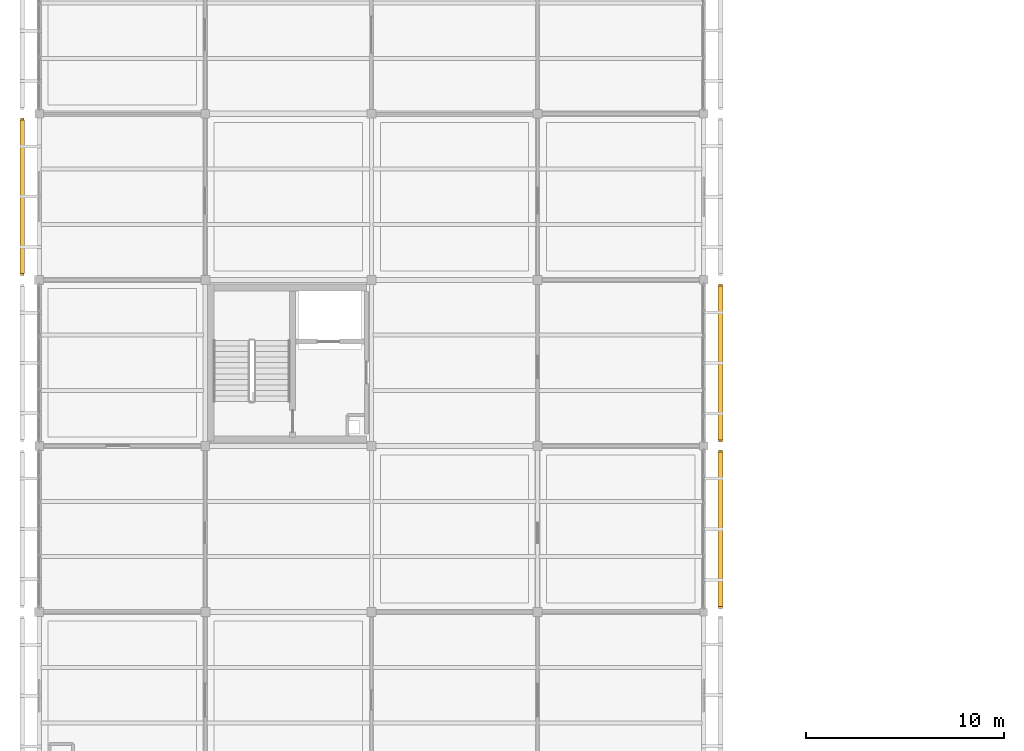
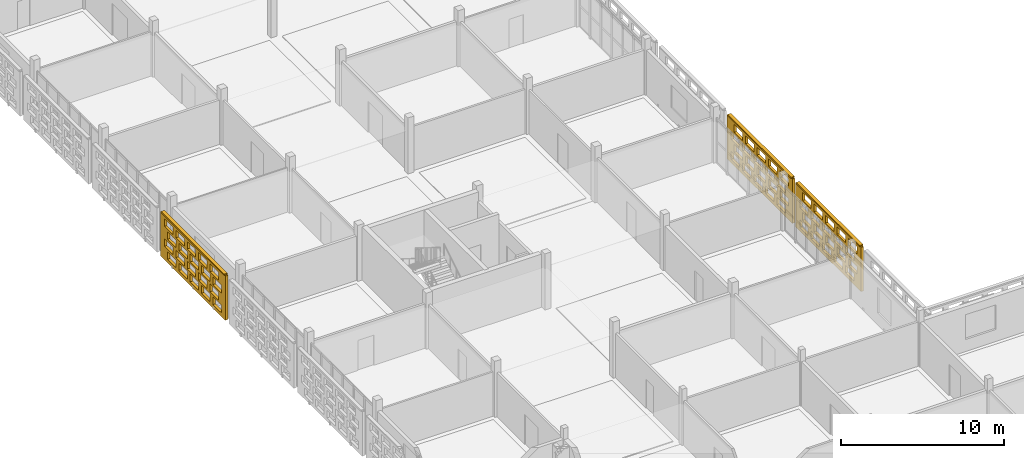
# One storey, part 106 of 140: 3 coverings, 3 shading devices, 60 openings.
"""IFC4 building model written with IfcOpenShell, lengths in metres."""

from ifc_helpers import new_model, si_unit, direction, frame, frame_2d, origin, origin_2d, place, context, subcontext, project, spatial, rectangle, extrude, material, layer, layer_set, type_object, element, save


model = new_model("IFC4")

# Units and contexts
model_context = context("Model", 3, precision=1e-05, world=origin(), true_north=direction((0.0, 1.0)))
body_context = subcontext(model_context, "Body", "Model", "MODEL_VIEW")
ifc_project = project(units=[si_unit("LENGTHUNIT", "METRE"), si_unit("AREAUNIT", "SQUARE_METRE"), si_unit("VOLUMEUNIT", "CUBIC_METRE"), si_unit("PLANEANGLEUNIT", "RADIAN"), si_unit("MASSUNIT", "GRAM", prefix="KILO")], contexts=[model_context])

# Site, building, storey
site_placement = place(None, origin())
site = spatial("IfcSite", under=ifc_project, at=site_placement, CompositionType="ELEMENT")
building_placement = place(site_placement, origin())
building = spatial("IfcBuilding", under=site, at=building_placement, Name="Varnapada Polytechnic", CompositionType="ELEMENT")
storey_placement = place(building_placement, frame((0.0, 0.0, 13.800048828125)))
storey = spatial("IfcBuildingStorey", under=building, at=storey_placement, Name="L03", CompositionType="ELEMENT", Elevation=13.800048828125)

# Covering, openings
ifc_material = material(Name="Earth-toned architectural terracotta screen block", Category="masonry")
ifc_layer_1 = layer(ifc_material, 0.1201171875)
ifc_layer_set_1 = layer_set([ifc_layer_1], Name="Earth-toned architectural terracotta screen block")
covering_type = type_object("IfcCoveringType", Name="Terracotta Screen Cladding CLD-01", PredefinedType="CLADDING", material=ifc_layer_set_1)
covering_1_placement = place(storey_placement, frame((-0.85009765625, 67.429931640625, 0.0), z_axis=(0.0, 0.0, 1.0), x_axis=(0.0, 1.0, 0.0)))
covering_1 = element("IfcCovering", 1, at=covering_1_placement, inside=storey, type_object=covering_type, Name="L03 perforated terracotta block screen (5)", PredefinedType="CLADDING", context=body_context, shape_type="SweptSolid", body=[
    extrude(rectangle(XDim=7.949951171875, YDim=0.179931640625, at=frame_2d((3.97509765625, 0.0))), origin(), (0.0, 0.0, 1.0), 3.320068359375),
])
opening_1_placement = place(covering_1_placement, frame((0.47509765625, 0.0, 0.265625)))
element("IfcOpeningElement", 2, at=opening_1_placement, cuts=covering_1, Name="Screen perforation TBS-L03-004.1", PredefinedType="OPENING", context=body_context, shape_type="SweptSolid", body=[
    extrude(rectangle(XDim=1.0400390625, YDim=0.5810546875, at=frame_2d((0.52001953125, 0.29052734375))), frame((0.0, 0.099853515625, 0.0), z_axis=(0.0, -1.0, 0.0), x_axis=(1.0, 0.0, 0.0)), (0.0, 0.0, 1.0), 0.199951171875),
])
opening_2_placement = place(covering_1_placement, frame((1.875, 0.0, 0.265625)))
element("IfcOpeningElement", 3, at=opening_2_placement, cuts=covering_1, Name="Screen perforation TBS-L03-004.2", PredefinedType="OPENING", context=body_context, shape_type="SweptSolid", body=[
    extrude(rectangle(XDim=1.0400390625, YDim=0.5810546875, at=frame_2d((0.52001953125, 0.29052734375))), frame((0.0, 0.099853515625, 0.0), z_axis=(0.0, -1.0, 0.0), x_axis=(1.0, 0.0, 0.0)), (0.0, 0.0, 1.0), 0.199951171875),
])
opening_3_placement = place(covering_1_placement, frame((3.27490234375, 0.0, 0.265625)))
element("IfcOpeningElement", 4, at=opening_3_placement, cuts=covering_1, Name="Screen perforation TBS-L03-004.3", PredefinedType="OPENING", context=body_context, shape_type="SweptSolid", body=[
    extrude(rectangle(XDim=1.0400390625, YDim=0.5810546875, at=frame_2d((0.52001953125, 0.29052734375))), frame((0.0, 0.099853515625, 0.0), z_axis=(0.0, -1.0, 0.0), x_axis=(1.0, 0.0, 0.0)), (0.0, 0.0, 1.0), 0.199951171875),
])
opening_4_placement = place(covering_1_placement, frame((4.675048828125, 0.0, 0.265625)))
element("IfcOpeningElement", 5, at=opening_4_placement, cuts=covering_1, Name="Screen perforation TBS-L03-004.4", PredefinedType="OPENING", context=body_context, shape_type="SweptSolid", body=[
    extrude(rectangle(XDim=1.0400390625, YDim=0.5810546875, at=frame_2d((0.52001953125, 0.29052734375))), frame((0.0, 0.099853515625, 0.0), z_axis=(0.0, -1.0, 0.0), x_axis=(1.0, 0.0, 0.0)), (0.0, 0.0, 1.0), 0.199951171875),
])
opening_5_placement = place(covering_1_placement, frame((6.074951171875, 0.0, 0.265625)))
element("IfcOpeningElement", 6, at=opening_5_placement, cuts=covering_1, Name="Screen perforation TBS-L03-004.5", PredefinedType="OPENING", context=body_context, shape_type="SweptSolid", body=[
    extrude(rectangle(XDim=1.0400390625, YDim=0.5810546875, at=frame_2d((0.52001953125, 0.29052734375))), frame((0.0, 0.099853515625, 0.0), z_axis=(0.0, -1.0, 0.0), x_axis=(1.0, 0.0, 0.0)), (0.0, 0.0, 1.0), 0.199951171875),
])
opening_6_placement = place(covering_1_placement, frame((0.8349609375, 0.0, 1.0126953125)))
element("IfcOpeningElement", 7, at=opening_6_placement, cuts=covering_1, Name="Screen perforation TBS-L03-004.6", PredefinedType="OPENING", context=body_context, shape_type="SweptSolid", body=[
    extrude(rectangle(XDim=1.0400390625, YDim=0.5810546875, at=frame_2d((0.52001953125, 0.29052734375))), frame((0.0, 0.099853515625, 0.0), z_axis=(0.0, -1.0, 0.0), x_axis=(1.0, 0.0, 0.0)), (0.0, 0.0, 1.0), 0.199951171875),
])
opening_7_placement = place(covering_1_placement, frame((2.235107421875, 0.0, 1.0126953125)))
element("IfcOpeningElement", 8, at=opening_7_placement, cuts=covering_1, Name="Screen perforation TBS-L03-004.7", PredefinedType="OPENING", context=body_context, shape_type="SweptSolid", body=[
    extrude(rectangle(XDim=1.0400390625, YDim=0.5810546875, at=frame_2d((0.52001953125, 0.29052734375))), frame((0.0, 0.099853515625, 0.0), z_axis=(0.0, -1.0, 0.0), x_axis=(1.0, 0.0, 0.0)), (0.0, 0.0, 1.0), 0.199951171875),
])
opening_8_placement = place(covering_1_placement, frame((3.635009765625, 0.0, 1.0126953125)))
element("IfcOpeningElement", 9, at=opening_8_placement, cuts=covering_1, Name="Screen perforation TBS-L03-004.8", PredefinedType="OPENING", context=body_context, shape_type="SweptSolid", body=[
    extrude(rectangle(XDim=1.0400390625, YDim=0.5810546875, at=frame_2d((0.52001953125, 0.29052734375))), frame((0.0, 0.099853515625, 0.0), z_axis=(0.0, -1.0, 0.0), x_axis=(1.0, 0.0, 0.0)), (0.0, 0.0, 1.0), 0.199951171875),
])
opening_9_placement = place(covering_1_placement, frame((5.034912109375, 0.0, 1.0126953125)))
element("IfcOpeningElement", 10, at=opening_9_placement, cuts=covering_1, Name="Screen perforation TBS-L03-004.9", PredefinedType="OPENING", context=body_context, shape_type="SweptSolid", body=[
    extrude(rectangle(XDim=1.0400390625, YDim=0.5810546875, at=frame_2d((0.52001953125, 0.29052734375))), frame((0.0, 0.099853515625, 0.0), z_axis=(0.0, -1.0, 0.0), x_axis=(1.0, 0.0, 0.0)), (0.0, 0.0, 1.0), 0.199951171875),
])
opening_10_placement = place(covering_1_placement, frame((6.43505859375, 0.0, 1.0126953125)))
element("IfcOpeningElement", 11, at=opening_10_placement, cuts=covering_1, Name="Screen perforation TBS-L03-004.10", PredefinedType="OPENING", context=body_context, shape_type="SweptSolid", body=[
    extrude(rectangle(XDim=1.0400390625, YDim=0.5810546875, at=frame_2d((0.52001953125, 0.29052734375))), frame((0.0, 0.099853515625, 0.0), z_axis=(0.0, -1.0, 0.0), x_axis=(1.0, 0.0, 0.0)), (0.0, 0.0, 1.0), 0.199951171875),
])
opening_11_placement = place(covering_1_placement, frame((0.47509765625, 0.0, 1.759521484375)))
element("IfcOpeningElement", 12, at=opening_11_placement, cuts=covering_1, Name="Screen perforation TBS-L03-004.11", PredefinedType="OPENING", context=body_context, shape_type="SweptSolid", body=[
    extrude(rectangle(XDim=1.0400390625, YDim=0.5810546875, at=frame_2d((0.52001953125, 0.29052734375))), frame((0.0, 0.099853515625, 0.0), z_axis=(0.0, -1.0, 0.0), x_axis=(1.0, 0.0, 0.0)), (0.0, 0.0, 1.0), 0.199951171875),
])
opening_12_placement = place(covering_1_placement, frame((1.875, 0.0, 1.759521484375)))
element("IfcOpeningElement", 13, at=opening_12_placement, cuts=covering_1, Name="Screen perforation TBS-L03-004.12", PredefinedType="OPENING", context=body_context, shape_type="SweptSolid", body=[
    extrude(rectangle(XDim=1.0400390625, YDim=0.5810546875, at=frame_2d((0.52001953125, 0.29052734375))), frame((0.0, 0.099853515625, 0.0), z_axis=(0.0, -1.0, 0.0), x_axis=(1.0, 0.0, 0.0)), (0.0, 0.0, 1.0), 0.199951171875),
])
opening_13_placement = place(covering_1_placement, frame((3.27490234375, 0.0, 1.759521484375)))
element("IfcOpeningElement", 14, at=opening_13_placement, cuts=covering_1, Name="Screen perforation TBS-L03-004.13", PredefinedType="OPENING", context=body_context, shape_type="SweptSolid", body=[
    extrude(rectangle(XDim=1.0400390625, YDim=0.5810546875, at=frame_2d((0.52001953125, 0.29052734375))), frame((0.0, 0.099853515625, 0.0), z_axis=(0.0, -1.0, 0.0), x_axis=(1.0, 0.0, 0.0)), (0.0, 0.0, 1.0), 0.199951171875),
])
opening_14_placement = place(covering_1_placement, frame((4.675048828125, 0.0, 1.759521484375)))
element("IfcOpeningElement", 15, at=opening_14_placement, cuts=covering_1, Name="Screen perforation TBS-L03-004.14", PredefinedType="OPENING", context=body_context, shape_type="SweptSolid", body=[
    extrude(rectangle(XDim=1.0400390625, YDim=0.5810546875, at=frame_2d((0.52001953125, 0.29052734375))), frame((0.0, 0.099853515625, 0.0), z_axis=(0.0, -1.0, 0.0), x_axis=(1.0, 0.0, 0.0)), (0.0, 0.0, 1.0), 0.199951171875),
])
opening_15_placement = place(covering_1_placement, frame((6.074951171875, 0.0, 1.759521484375)))
element("IfcOpeningElement", 16, at=opening_15_placement, cuts=covering_1, Name="Screen perforation TBS-L03-004.15", PredefinedType="OPENING", context=body_context, shape_type="SweptSolid", body=[
    extrude(rectangle(XDim=1.0400390625, YDim=0.5810546875, at=frame_2d((0.52001953125, 0.29052734375))), frame((0.0, 0.099853515625, 0.0), z_axis=(0.0, -1.0, 0.0), x_axis=(1.0, 0.0, 0.0)), (0.0, 0.0, 1.0), 0.199951171875),
])
opening_16_placement = place(covering_1_placement, frame((0.8349609375, 0.0, 2.506591796875)))
element("IfcOpeningElement", 17, at=opening_16_placement, cuts=covering_1, Name="Screen perforation TBS-L03-004.16", PredefinedType="OPENING", context=body_context, shape_type="SweptSolid", body=[
    extrude(rectangle(XDim=1.0400390625, YDim=0.5810546875, at=frame_2d((0.52001953125, 0.29052734375))), frame((0.0, 0.099853515625, 0.0), z_axis=(0.0, -1.0, 0.0), x_axis=(1.0, 0.0, 0.0)), (0.0, 0.0, 1.0), 0.199951171875),
])
opening_17_placement = place(covering_1_placement, frame((2.235107421875, 0.0, 2.506591796875)))
element("IfcOpeningElement", 18, at=opening_17_placement, cuts=covering_1, Name="Screen perforation TBS-L03-004.17", PredefinedType="OPENING", context=body_context, shape_type="SweptSolid", body=[
    extrude(rectangle(XDim=1.0400390625, YDim=0.5810546875, at=frame_2d((0.52001953125, 0.29052734375))), frame((0.0, 0.099853515625, 0.0), z_axis=(0.0, -1.0, 0.0), x_axis=(1.0, 0.0, 0.0)), (0.0, 0.0, 1.0), 0.199951171875),
])
opening_18_placement = place(covering_1_placement, frame((3.635009765625, 0.0, 2.506591796875)))
element("IfcOpeningElement", 19, at=opening_18_placement, cuts=covering_1, Name="Screen perforation TBS-L03-004.18", PredefinedType="OPENING", context=body_context, shape_type="SweptSolid", body=[
    extrude(rectangle(XDim=1.0400390625, YDim=0.5810546875, at=frame_2d((0.52001953125, 0.29052734375))), frame((0.0, 0.099853515625, 0.0), z_axis=(0.0, -1.0, 0.0), x_axis=(1.0, 0.0, 0.0)), (0.0, 0.0, 1.0), 0.199951171875),
])
opening_19_placement = place(covering_1_placement, frame((5.034912109375, 0.0, 2.506591796875)))
element("IfcOpeningElement", 20, at=opening_19_placement, cuts=covering_1, Name="Screen perforation TBS-L03-004.19", PredefinedType="OPENING", context=body_context, shape_type="SweptSolid", body=[
    extrude(rectangle(XDim=1.0400390625, YDim=0.5810546875, at=frame_2d((0.52001953125, 0.29052734375))), frame((0.0, 0.099853515625, 0.0), z_axis=(0.0, -1.0, 0.0), x_axis=(1.0, 0.0, 0.0)), (0.0, 0.0, 1.0), 0.199951171875),
])
opening_20_placement = place(covering_1_placement, frame((6.43505859375, 0.0, 2.506591796875)))
element("IfcOpeningElement", 21, at=opening_20_placement, cuts=covering_1, Name="Screen perforation TBS-L03-004.20", PredefinedType="OPENING", context=body_context, shape_type="SweptSolid", body=[
    extrude(rectangle(XDim=1.0400390625, YDim=0.5810546875, at=frame_2d((0.52001953125, 0.29052734375))), frame((0.0, 0.099853515625, 0.0), z_axis=(0.0, -1.0, 0.0), x_axis=(1.0, 0.0, 0.0)), (0.0, 0.0, 1.0), 0.199951171875),
])

covering_2_placement = place(storey_placement, frame((34.449951171875, 58.590087890625, 0.0), z_axis=(0.0, 0.0, 1.0), x_axis=(0.0, -1.0, 0.0)))
covering_2 = element("IfcCovering", 22, at=covering_2_placement, inside=storey, type_object=covering_type, Name="L03 perforated terracotta block screen (23)", PredefinedType="CLADDING", context=body_context, shape_type="SweptSolid", body=[
    extrude(rectangle(XDim=8.0, YDim=0.179931640625, at=frame_2d((4.0, 0.0))), origin(), (0.0, 0.0, 1.0), 3.320068359375),
])
opening_21_placement = place(covering_2_placement, frame((0.5, 0.0, 0.265625)))
element("IfcOpeningElement", 23, at=opening_21_placement, cuts=covering_2, Name="Screen perforation TBS-L03-022.1", PredefinedType="OPENING", context=body_context, shape_type="SweptSolid", body=[
    extrude(rectangle(XDim=1.0400390625, YDim=0.5810546875, at=frame_2d((0.52001953125, 0.29052734375))), frame((0.0, 0.099853515625, 0.0), z_axis=(0.0, -1.0, 0.0), x_axis=(1.0, 0.0, 0.0)), (0.0, 0.0, 1.0), 0.199951171875),
])
opening_22_placement = place(covering_2_placement, frame((1.89990234375, 0.0, 0.265625)))
element("IfcOpeningElement", 24, at=opening_22_placement, cuts=covering_2, Name="Screen perforation TBS-L03-022.2", PredefinedType="OPENING", context=body_context, shape_type="SweptSolid", body=[
    extrude(rectangle(XDim=1.0400390625, YDim=0.5810546875, at=frame_2d((0.52001953125, 0.29052734375))), frame((0.0, 0.099853515625, 0.0), z_axis=(0.0, -1.0, 0.0), x_axis=(1.0, 0.0, 0.0)), (0.0, 0.0, 1.0), 0.199951171875),
])
opening_23_placement = place(covering_2_placement, frame((3.300048828125, 0.0, 0.265625)))
element("IfcOpeningElement", 25, at=opening_23_placement, cuts=covering_2, Name="Screen perforation TBS-L03-022.3", PredefinedType="OPENING", context=body_context, shape_type="SweptSolid", body=[
    extrude(rectangle(XDim=1.0400390625, YDim=0.5810546875, at=frame_2d((0.52001953125, 0.29052734375))), frame((0.0, 0.099853515625, 0.0), z_axis=(0.0, -1.0, 0.0), x_axis=(1.0, 0.0, 0.0)), (0.0, 0.0, 1.0), 0.199951171875),
])
opening_24_placement = place(covering_2_placement, frame((4.699951171875, 0.0, 0.265625)))
element("IfcOpeningElement", 26, at=opening_24_placement, cuts=covering_2, Name="Screen perforation TBS-L03-022.4", PredefinedType="OPENING", context=body_context, shape_type="SweptSolid", body=[
    extrude(rectangle(XDim=1.0400390625, YDim=0.5810546875, at=frame_2d((0.52001953125, 0.29052734375))), frame((0.0, 0.099853515625, 0.0), z_axis=(0.0, -1.0, 0.0), x_axis=(1.0, 0.0, 0.0)), (0.0, 0.0, 1.0), 0.199951171875),
])
opening_25_placement = place(covering_2_placement, frame((6.10009765625, 0.0, 0.265625)))
element("IfcOpeningElement", 27, at=opening_25_placement, cuts=covering_2, Name="Screen perforation TBS-L03-022.5", PredefinedType="OPENING", context=body_context, shape_type="SweptSolid", body=[
    extrude(rectangle(XDim=1.0400390625, YDim=0.5810546875, at=frame_2d((0.52001953125, 0.29052734375))), frame((0.0, 0.099853515625, 0.0), z_axis=(0.0, -1.0, 0.0), x_axis=(1.0, 0.0, 0.0)), (0.0, 0.0, 1.0), 0.199951171875),
])
opening_26_placement = place(covering_2_placement, frame((0.860107421875, 0.0, 1.0126953125)))
element("IfcOpeningElement", 28, at=opening_26_placement, cuts=covering_2, Name="Screen perforation TBS-L03-022.6", PredefinedType="OPENING", context=body_context, shape_type="SweptSolid", body=[
    extrude(rectangle(XDim=1.0400390625, YDim=0.5810546875, at=frame_2d((0.52001953125, 0.29052734375))), frame((0.0, 0.099853515625, 0.0), z_axis=(0.0, -1.0, 0.0), x_axis=(1.0, 0.0, 0.0)), (0.0, 0.0, 1.0), 0.199951171875),
])
opening_27_placement = place(covering_2_placement, frame((2.260009765625, 0.0, 1.0126953125)))
element("IfcOpeningElement", 29, at=opening_27_placement, cuts=covering_2, Name="Screen perforation TBS-L03-022.7", PredefinedType="OPENING", context=body_context, shape_type="SweptSolid", body=[
    extrude(rectangle(XDim=1.0400390625, YDim=0.5810546875, at=frame_2d((0.52001953125, 0.29052734375))), frame((0.0, 0.099853515625, 0.0), z_axis=(0.0, -1.0, 0.0), x_axis=(1.0, 0.0, 0.0)), (0.0, 0.0, 1.0), 0.199951171875),
])
opening_28_placement = place(covering_2_placement, frame((3.659912109375, 0.0, 1.0126953125)))
element("IfcOpeningElement", 30, at=opening_28_placement, cuts=covering_2, Name="Screen perforation TBS-L03-022.8", PredefinedType="OPENING", context=body_context, shape_type="SweptSolid", body=[
    extrude(rectangle(XDim=1.0400390625, YDim=0.5810546875, at=frame_2d((0.52001953125, 0.29052734375))), frame((0.0, 0.099853515625, 0.0), z_axis=(0.0, -1.0, 0.0), x_axis=(1.0, 0.0, 0.0)), (0.0, 0.0, 1.0), 0.199951171875),
])
opening_29_placement = place(covering_2_placement, frame((5.06005859375, 0.0, 1.0126953125)))
element("IfcOpeningElement", 31, at=opening_29_placement, cuts=covering_2, Name="Screen perforation TBS-L03-022.9", PredefinedType="OPENING", context=body_context, shape_type="SweptSolid", body=[
    extrude(rectangle(XDim=1.0400390625, YDim=0.5810546875, at=frame_2d((0.52001953125, 0.29052734375))), frame((0.0, 0.099853515625, 0.0), z_axis=(0.0, -1.0, 0.0), x_axis=(1.0, 0.0, 0.0)), (0.0, 0.0, 1.0), 0.199951171875),
])
opening_30_placement = place(covering_2_placement, frame((6.4599609375, 0.0, 1.0126953125)))
element("IfcOpeningElement", 32, at=opening_30_placement, cuts=covering_2, Name="Screen perforation TBS-L03-022.10", PredefinedType="OPENING", context=body_context, shape_type="SweptSolid", body=[
    extrude(rectangle(XDim=1.0400390625, YDim=0.5810546875, at=frame_2d((0.52001953125, 0.29052734375))), frame((0.0, 0.099853515625, 0.0), z_axis=(0.0, -1.0, 0.0), x_axis=(1.0, 0.0, 0.0)), (0.0, 0.0, 1.0), 0.199951171875),
])
opening_31_placement = place(covering_2_placement, frame((0.5, 0.0, 1.759521484375)))
element("IfcOpeningElement", 33, at=opening_31_placement, cuts=covering_2, Name="Screen perforation TBS-L03-022.11", PredefinedType="OPENING", context=body_context, shape_type="SweptSolid", body=[
    extrude(rectangle(XDim=1.0400390625, YDim=0.5810546875, at=frame_2d((0.52001953125, 0.29052734375))), frame((0.0, 0.099853515625, 0.0), z_axis=(0.0, -1.0, 0.0), x_axis=(1.0, 0.0, 0.0)), (0.0, 0.0, 1.0), 0.199951171875),
])
opening_32_placement = place(covering_2_placement, frame((1.89990234375, 0.0, 1.759521484375)))
element("IfcOpeningElement", 34, at=opening_32_placement, cuts=covering_2, Name="Screen perforation TBS-L03-022.12", PredefinedType="OPENING", context=body_context, shape_type="SweptSolid", body=[
    extrude(rectangle(XDim=1.0400390625, YDim=0.5810546875, at=frame_2d((0.52001953125, 0.29052734375))), frame((0.0, 0.099853515625, 0.0), z_axis=(0.0, -1.0, 0.0), x_axis=(1.0, 0.0, 0.0)), (0.0, 0.0, 1.0), 0.199951171875),
])
opening_33_placement = place(covering_2_placement, frame((3.300048828125, 0.0, 1.759521484375)))
element("IfcOpeningElement", 35, at=opening_33_placement, cuts=covering_2, Name="Screen perforation TBS-L03-022.13", PredefinedType="OPENING", context=body_context, shape_type="SweptSolid", body=[
    extrude(rectangle(XDim=1.0400390625, YDim=0.5810546875, at=frame_2d((0.52001953125, 0.29052734375))), frame((0.0, 0.099853515625, 0.0), z_axis=(0.0, -1.0, 0.0), x_axis=(1.0, 0.0, 0.0)), (0.0, 0.0, 1.0), 0.199951171875),
])
opening_34_placement = place(covering_2_placement, frame((4.699951171875, 0.0, 1.759521484375)))
element("IfcOpeningElement", 36, at=opening_34_placement, cuts=covering_2, Name="Screen perforation TBS-L03-022.14", PredefinedType="OPENING", context=body_context, shape_type="SweptSolid", body=[
    extrude(rectangle(XDim=1.0400390625, YDim=0.5810546875, at=frame_2d((0.52001953125, 0.29052734375))), frame((0.0, 0.099853515625, 0.0), z_axis=(0.0, -1.0, 0.0), x_axis=(1.0, 0.0, 0.0)), (0.0, 0.0, 1.0), 0.199951171875),
])
opening_35_placement = place(covering_2_placement, frame((6.10009765625, 0.0, 1.759521484375)))
element("IfcOpeningElement", 37, at=opening_35_placement, cuts=covering_2, Name="Screen perforation TBS-L03-022.15", PredefinedType="OPENING", context=body_context, shape_type="SweptSolid", body=[
    extrude(rectangle(XDim=1.0400390625, YDim=0.5810546875, at=frame_2d((0.52001953125, 0.29052734375))), frame((0.0, 0.099853515625, 0.0), z_axis=(0.0, -1.0, 0.0), x_axis=(1.0, 0.0, 0.0)), (0.0, 0.0, 1.0), 0.199951171875),
])
opening_36_placement = place(covering_2_placement, frame((0.860107421875, 0.0, 2.506591796875)))
element("IfcOpeningElement", 38, at=opening_36_placement, cuts=covering_2, Name="Screen perforation TBS-L03-022.16", PredefinedType="OPENING", context=body_context, shape_type="SweptSolid", body=[
    extrude(rectangle(XDim=1.0400390625, YDim=0.5810546875, at=frame_2d((0.52001953125, 0.29052734375))), frame((0.0, 0.099853515625, 0.0), z_axis=(0.0, -1.0, 0.0), x_axis=(1.0, 0.0, 0.0)), (0.0, 0.0, 1.0), 0.199951171875),
])
opening_37_placement = place(covering_2_placement, frame((2.260009765625, 0.0, 2.506591796875)))
element("IfcOpeningElement", 39, at=opening_37_placement, cuts=covering_2, Name="Screen perforation TBS-L03-022.17", PredefinedType="OPENING", context=body_context, shape_type="SweptSolid", body=[
    extrude(rectangle(XDim=1.0400390625, YDim=0.5810546875, at=frame_2d((0.52001953125, 0.29052734375))), frame((0.0, 0.099853515625, 0.0), z_axis=(0.0, -1.0, 0.0), x_axis=(1.0, 0.0, 0.0)), (0.0, 0.0, 1.0), 0.199951171875),
])
opening_38_placement = place(covering_2_placement, frame((3.659912109375, 0.0, 2.506591796875)))
element("IfcOpeningElement", 40, at=opening_38_placement, cuts=covering_2, Name="Screen perforation TBS-L03-022.18", PredefinedType="OPENING", context=body_context, shape_type="SweptSolid", body=[
    extrude(rectangle(XDim=1.0400390625, YDim=0.5810546875, at=frame_2d((0.52001953125, 0.29052734375))), frame((0.0, 0.099853515625, 0.0), z_axis=(0.0, -1.0, 0.0), x_axis=(1.0, 0.0, 0.0)), (0.0, 0.0, 1.0), 0.199951171875),
])
opening_39_placement = place(covering_2_placement, frame((5.06005859375, 0.0, 2.506591796875)))
element("IfcOpeningElement", 41, at=opening_39_placement, cuts=covering_2, Name="Screen perforation TBS-L03-022.19", PredefinedType="OPENING", context=body_context, shape_type="SweptSolid", body=[
    extrude(rectangle(XDim=1.0400390625, YDim=0.5810546875, at=frame_2d((0.52001953125, 0.29052734375))), frame((0.0, 0.099853515625, 0.0), z_axis=(0.0, -1.0, 0.0), x_axis=(1.0, 0.0, 0.0)), (0.0, 0.0, 1.0), 0.199951171875),
])
opening_40_placement = place(covering_2_placement, frame((6.4599609375, 0.0, 2.506591796875)))
element("IfcOpeningElement", 42, at=opening_40_placement, cuts=covering_2, Name="Screen perforation TBS-L03-022.20", PredefinedType="OPENING", context=body_context, shape_type="SweptSolid", body=[
    extrude(rectangle(XDim=1.0400390625, YDim=0.5810546875, at=frame_2d((0.52001953125, 0.29052734375))), frame((0.0, 0.099853515625, 0.0), z_axis=(0.0, -1.0, 0.0), x_axis=(1.0, 0.0, 0.0)), (0.0, 0.0, 1.0), 0.199951171875),
])

covering_3_placement = place(storey_placement, frame((34.449951171875, 66.989990234375, 0.0), z_axis=(0.0, 0.0, 1.0), x_axis=(0.0, -1.0, 0.0)))
covering_3 = element("IfcCovering", 43, at=covering_3_placement, inside=storey, type_object=covering_type, Name="L03 perforated terracotta block screen (24)", PredefinedType="CLADDING", context=body_context, shape_type="SweptSolid", body=[
    extrude(rectangle(XDim=7.97998046875, YDim=0.179931640625, at=frame_2d((3.989990234375, 0.0))), origin(), (0.0, 0.0, 1.0), 3.320068359375),
])
opening_41_placement = place(covering_3_placement, frame((0.489990234375, 0.0, 0.265625)))
element("IfcOpeningElement", 44, at=opening_41_placement, cuts=covering_3, Name="Screen perforation TBS-L03-023.1", PredefinedType="OPENING", context=body_context, shape_type="SweptSolid", body=[
    extrude(rectangle(XDim=1.0400390625, YDim=0.5810546875, at=frame_2d((0.52001953125, 0.29052734375))), frame((0.0, 0.099853515625, 0.0), z_axis=(0.0, -1.0, 0.0), x_axis=(1.0, 0.0, 0.0)), (0.0, 0.0, 1.0), 0.199951171875),
])
opening_42_placement = place(covering_3_placement, frame((1.889892578125, 0.0, 0.265625)))
element("IfcOpeningElement", 45, at=opening_42_placement, cuts=covering_3, Name="Screen perforation TBS-L03-023.2", PredefinedType="OPENING", context=body_context, shape_type="SweptSolid", body=[
    extrude(rectangle(XDim=1.0400390625, YDim=0.5810546875, at=frame_2d((0.52001953125, 0.29052734375))), frame((0.0, 0.099853515625, 0.0), z_axis=(0.0, -1.0, 0.0), x_axis=(1.0, 0.0, 0.0)), (0.0, 0.0, 1.0), 0.199951171875),
])
opening_43_placement = place(covering_3_placement, frame((3.2900390625, 0.0, 0.265625)))
element("IfcOpeningElement", 46, at=opening_43_placement, cuts=covering_3, Name="Screen perforation TBS-L03-023.3", PredefinedType="OPENING", context=body_context, shape_type="SweptSolid", body=[
    extrude(rectangle(XDim=1.0400390625, YDim=0.5810546875, at=frame_2d((0.52001953125, 0.29052734375))), frame((0.0, 0.099853515625, 0.0), z_axis=(0.0, -1.0, 0.0), x_axis=(1.0, 0.0, 0.0)), (0.0, 0.0, 1.0), 0.199951171875),
])
opening_44_placement = place(covering_3_placement, frame((4.68994140625, 0.0, 0.265625)))
element("IfcOpeningElement", 47, at=opening_44_placement, cuts=covering_3, Name="Screen perforation TBS-L03-023.4", PredefinedType="OPENING", context=body_context, shape_type="SweptSolid", body=[
    extrude(rectangle(XDim=1.0400390625, YDim=0.5810546875, at=frame_2d((0.52001953125, 0.29052734375))), frame((0.0, 0.099853515625, 0.0), z_axis=(0.0, -1.0, 0.0), x_axis=(1.0, 0.0, 0.0)), (0.0, 0.0, 1.0), 0.199951171875),
])
opening_45_placement = place(covering_3_placement, frame((6.090087890625, 0.0, 0.265625)))
element("IfcOpeningElement", 48, at=opening_45_placement, cuts=covering_3, Name="Screen perforation TBS-L03-023.5", PredefinedType="OPENING", context=body_context, shape_type="SweptSolid", body=[
    extrude(rectangle(XDim=1.0400390625, YDim=0.5810546875, at=frame_2d((0.52001953125, 0.29052734375))), frame((0.0, 0.099853515625, 0.0), z_axis=(0.0, -1.0, 0.0), x_axis=(1.0, 0.0, 0.0)), (0.0, 0.0, 1.0), 0.199951171875),
])
opening_46_placement = place(covering_3_placement, frame((0.85009765625, 0.0, 1.0126953125)))
element("IfcOpeningElement", 49, at=opening_46_placement, cuts=covering_3, Name="Screen perforation TBS-L03-023.6", PredefinedType="OPENING", context=body_context, shape_type="SweptSolid", body=[
    extrude(rectangle(XDim=1.0400390625, YDim=0.5810546875, at=frame_2d((0.52001953125, 0.29052734375))), frame((0.0, 0.099853515625, 0.0), z_axis=(0.0, -1.0, 0.0), x_axis=(1.0, 0.0, 0.0)), (0.0, 0.0, 1.0), 0.199951171875),
])
opening_47_placement = place(covering_3_placement, frame((2.25, 0.0, 1.0126953125)))
element("IfcOpeningElement", 50, at=opening_47_placement, cuts=covering_3, Name="Screen perforation TBS-L03-023.7", PredefinedType="OPENING", context=body_context, shape_type="SweptSolid", body=[
    extrude(rectangle(XDim=1.0400390625, YDim=0.5810546875, at=frame_2d((0.52001953125, 0.29052734375))), frame((0.0, 0.099853515625, 0.0), z_axis=(0.0, -1.0, 0.0), x_axis=(1.0, 0.0, 0.0)), (0.0, 0.0, 1.0), 0.199951171875),
])
opening_48_placement = place(covering_3_placement, frame((3.64990234375, 0.0, 1.0126953125)))
element("IfcOpeningElement", 51, at=opening_48_placement, cuts=covering_3, Name="Screen perforation TBS-L03-023.8", PredefinedType="OPENING", context=body_context, shape_type="SweptSolid", body=[
    extrude(rectangle(XDim=1.0400390625, YDim=0.5810546875, at=frame_2d((0.52001953125, 0.29052734375))), frame((0.0, 0.099853515625, 0.0), z_axis=(0.0, -1.0, 0.0), x_axis=(1.0, 0.0, 0.0)), (0.0, 0.0, 1.0), 0.199951171875),
])
opening_49_placement = place(covering_3_placement, frame((5.050048828125, 0.0, 1.0126953125)))
element("IfcOpeningElement", 52, at=opening_49_placement, cuts=covering_3, Name="Screen perforation TBS-L03-023.9", PredefinedType="OPENING", context=body_context, shape_type="SweptSolid", body=[
    extrude(rectangle(XDim=1.0400390625, YDim=0.5810546875, at=frame_2d((0.52001953125, 0.29052734375))), frame((0.0, 0.099853515625, 0.0), z_axis=(0.0, -1.0, 0.0), x_axis=(1.0, 0.0, 0.0)), (0.0, 0.0, 1.0), 0.199951171875),
])
opening_50_placement = place(covering_3_placement, frame((6.449951171875, 0.0, 1.0126953125)))
element("IfcOpeningElement", 53, at=opening_50_placement, cuts=covering_3, Name="Screen perforation TBS-L03-023.10", PredefinedType="OPENING", context=body_context, shape_type="SweptSolid", body=[
    extrude(rectangle(XDim=1.0400390625, YDim=0.5810546875, at=frame_2d((0.52001953125, 0.29052734375))), frame((0.0, 0.099853515625, 0.0), z_axis=(0.0, -1.0, 0.0), x_axis=(1.0, 0.0, 0.0)), (0.0, 0.0, 1.0), 0.199951171875),
])
opening_51_placement = place(covering_3_placement, frame((0.489990234375, 0.0, 1.759521484375)))
element("IfcOpeningElement", 54, at=opening_51_placement, cuts=covering_3, Name="Screen perforation TBS-L03-023.11", PredefinedType="OPENING", context=body_context, shape_type="SweptSolid", body=[
    extrude(rectangle(XDim=1.0400390625, YDim=0.5810546875, at=frame_2d((0.52001953125, 0.29052734375))), frame((0.0, 0.099853515625, 0.0), z_axis=(0.0, -1.0, 0.0), x_axis=(1.0, 0.0, 0.0)), (0.0, 0.0, 1.0), 0.199951171875),
])
opening_52_placement = place(covering_3_placement, frame((1.889892578125, 0.0, 1.759521484375)))
element("IfcOpeningElement", 55, at=opening_52_placement, cuts=covering_3, Name="Screen perforation TBS-L03-023.12", PredefinedType="OPENING", context=body_context, shape_type="SweptSolid", body=[
    extrude(rectangle(XDim=1.0400390625, YDim=0.5810546875, at=frame_2d((0.52001953125, 0.29052734375))), frame((0.0, 0.099853515625, 0.0), z_axis=(0.0, -1.0, 0.0), x_axis=(1.0, 0.0, 0.0)), (0.0, 0.0, 1.0), 0.199951171875),
])
opening_53_placement = place(covering_3_placement, frame((3.2900390625, 0.0, 1.759521484375)))
element("IfcOpeningElement", 56, at=opening_53_placement, cuts=covering_3, Name="Screen perforation TBS-L03-023.13", PredefinedType="OPENING", context=body_context, shape_type="SweptSolid", body=[
    extrude(rectangle(XDim=1.0400390625, YDim=0.5810546875, at=frame_2d((0.52001953125, 0.29052734375))), frame((0.0, 0.099853515625, 0.0), z_axis=(0.0, -1.0, 0.0), x_axis=(1.0, 0.0, 0.0)), (0.0, 0.0, 1.0), 0.199951171875),
])
opening_54_placement = place(covering_3_placement, frame((4.68994140625, 0.0, 1.759521484375)))
element("IfcOpeningElement", 57, at=opening_54_placement, cuts=covering_3, Name="Screen perforation TBS-L03-023.14", PredefinedType="OPENING", context=body_context, shape_type="SweptSolid", body=[
    extrude(rectangle(XDim=1.0400390625, YDim=0.5810546875, at=frame_2d((0.52001953125, 0.29052734375))), frame((0.0, 0.099853515625, 0.0), z_axis=(0.0, -1.0, 0.0), x_axis=(1.0, 0.0, 0.0)), (0.0, 0.0, 1.0), 0.199951171875),
])
opening_55_placement = place(covering_3_placement, frame((6.090087890625, 0.0, 1.759521484375)))
element("IfcOpeningElement", 58, at=opening_55_placement, cuts=covering_3, Name="Screen perforation TBS-L03-023.15", PredefinedType="OPENING", context=body_context, shape_type="SweptSolid", body=[
    extrude(rectangle(XDim=1.0400390625, YDim=0.5810546875, at=frame_2d((0.52001953125, 0.29052734375))), frame((0.0, 0.099853515625, 0.0), z_axis=(0.0, -1.0, 0.0), x_axis=(1.0, 0.0, 0.0)), (0.0, 0.0, 1.0), 0.199951171875),
])
opening_56_placement = place(covering_3_placement, frame((0.85009765625, 0.0, 2.506591796875)))
element("IfcOpeningElement", 59, at=opening_56_placement, cuts=covering_3, Name="Screen perforation TBS-L03-023.16", PredefinedType="OPENING", context=body_context, shape_type="SweptSolid", body=[
    extrude(rectangle(XDim=1.0400390625, YDim=0.5810546875, at=frame_2d((0.52001953125, 0.29052734375))), frame((0.0, 0.099853515625, 0.0), z_axis=(0.0, -1.0, 0.0), x_axis=(1.0, 0.0, 0.0)), (0.0, 0.0, 1.0), 0.199951171875),
])
opening_57_placement = place(covering_3_placement, frame((2.25, 0.0, 2.506591796875)))
element("IfcOpeningElement", 60, at=opening_57_placement, cuts=covering_3, Name="Screen perforation TBS-L03-023.17", PredefinedType="OPENING", context=body_context, shape_type="SweptSolid", body=[
    extrude(rectangle(XDim=1.0400390625, YDim=0.5810546875, at=frame_2d((0.52001953125, 0.29052734375))), frame((0.0, 0.099853515625, 0.0), z_axis=(0.0, -1.0, 0.0), x_axis=(1.0, 0.0, 0.0)), (0.0, 0.0, 1.0), 0.199951171875),
])
opening_58_placement = place(covering_3_placement, frame((3.64990234375, 0.0, 2.506591796875)))
element("IfcOpeningElement", 61, at=opening_58_placement, cuts=covering_3, Name="Screen perforation TBS-L03-023.18", PredefinedType="OPENING", context=body_context, shape_type="SweptSolid", body=[
    extrude(rectangle(XDim=1.0400390625, YDim=0.5810546875, at=frame_2d((0.52001953125, 0.29052734375))), frame((0.0, 0.099853515625, 0.0), z_axis=(0.0, -1.0, 0.0), x_axis=(1.0, 0.0, 0.0)), (0.0, 0.0, 1.0), 0.199951171875),
])
opening_59_placement = place(covering_3_placement, frame((5.050048828125, 0.0, 2.506591796875)))
element("IfcOpeningElement", 62, at=opening_59_placement, cuts=covering_3, Name="Screen perforation TBS-L03-023.19", PredefinedType="OPENING", context=body_context, shape_type="SweptSolid", body=[
    extrude(rectangle(XDim=1.0400390625, YDim=0.5810546875, at=frame_2d((0.52001953125, 0.29052734375))), frame((0.0, 0.099853515625, 0.0), z_axis=(0.0, -1.0, 0.0), x_axis=(1.0, 0.0, 0.0)), (0.0, 0.0, 1.0), 0.199951171875),
])
opening_60_placement = place(covering_3_placement, frame((6.449951171875, 0.0, 2.506591796875)))
element("IfcOpeningElement", 63, at=opening_60_placement, cuts=covering_3, Name="Screen perforation TBS-L03-023.20", PredefinedType="OPENING", context=body_context, shape_type="SweptSolid", body=[
    extrude(rectangle(XDim=1.0400390625, YDim=0.5810546875, at=frame_2d((0.52001953125, 0.29052734375))), frame((0.0, 0.099853515625, 0.0), z_axis=(0.0, -1.0, 0.0), x_axis=(1.0, 0.0, 0.0)), (0.0, 0.0, 1.0), 0.199951171875),
])

# Shading devices
ifc_layer_2 = layer(ifc_material, 0.179931640625)
ifc_layer_set_2 = layer_set([ifc_layer_2], Name="Earth-toned architectural terracotta screen block")
shading_device_type = type_object("IfcShadingDeviceType", Name="Terracotta Screen SCR-01", PredefinedType="USERDEFINED", material=ifc_layer_set_2)
shading_device_1_placement = place(storey_placement, frame((-0.85009765625, 71.405029296875, 3.309814453125), z_axis=(0.0, 0.0, 1.0), x_axis=(0.0, 1.0, 0.0)))
element("IfcShadingDevice", 64, at=shading_device_1_placement, inside=storey, type_object=shading_device_type, Name="L03 perforated terracotta screen hood 340", ObjectType="SCREEN", PredefinedType="USERDEFINED", context=body_context, shape_type="SweptSolid", body=[
    extrude(rectangle(XDim=7.75, YDim=0.239990234375, at=origin_2d()), origin(), (0.0, 0.0, 1.0), 0.10009765625),
])
shading_device_2_placement = place(storey_placement, frame((34.449951171875, 54.590087890625, 3.309814453125), z_axis=(0.0, 0.0, 1.0), x_axis=(0.0, -1.0, 0.0)))
element("IfcShadingDevice", 65, at=shading_device_2_placement, inside=storey, type_object=shading_device_type, Name="L03 perforated terracotta screen hood 358", ObjectType="SCREEN", PredefinedType="USERDEFINED", context=body_context, shape_type="SweptSolid", body=[
    extrude(rectangle(XDim=7.800048828125, YDim=0.239990234375, at=origin_2d()), origin(), (0.0, 0.0, 1.0), 0.10009765625),
])
shading_device_3_placement = place(storey_placement, frame((34.449951171875, 63.0, 3.309814453125), z_axis=(0.0, 0.0, 1.0), x_axis=(0.0, -1.0, 0.0)))
element("IfcShadingDevice", 66, at=shading_device_3_placement, inside=storey, type_object=shading_device_type, Name="L03 perforated terracotta screen hood 359", ObjectType="SCREEN", PredefinedType="USERDEFINED", context=body_context, shape_type="SweptSolid", body=[
    extrude(rectangle(XDim=7.780029296875, YDim=0.239990234375, at=origin_2d()), origin(), (0.0, 0.0, 1.0), 0.10009765625),
])

save(model, "model.ifc")
